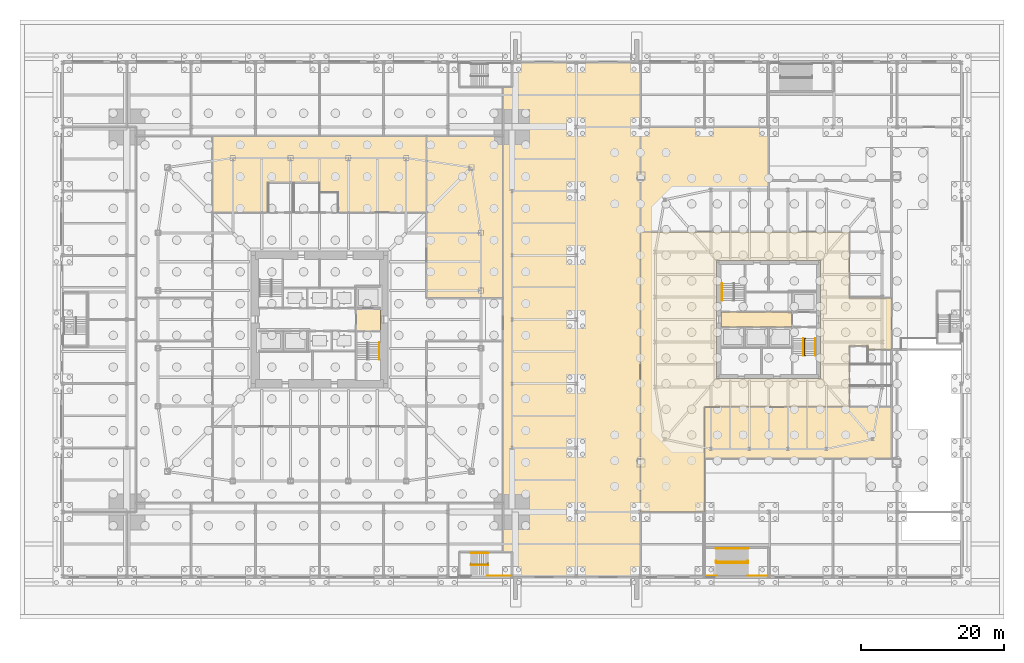
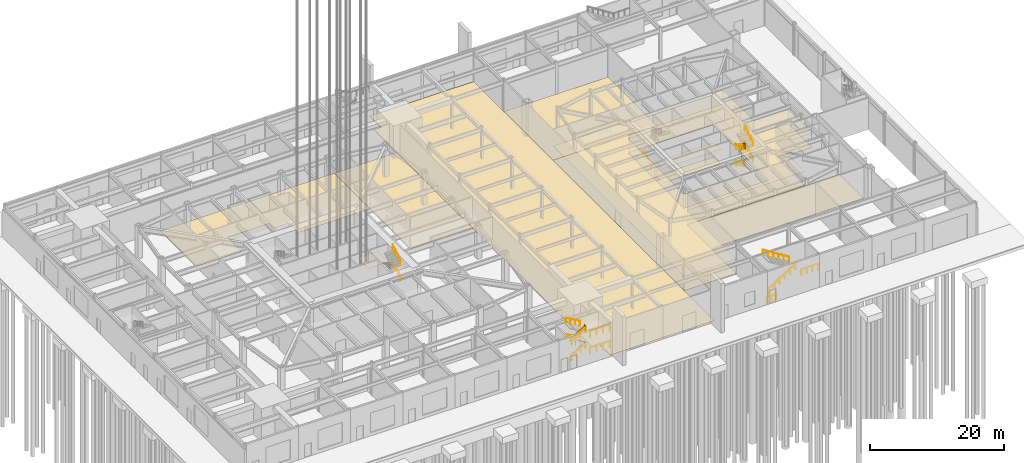
# One storey, part 34 of 37: 20 railings, 10 coverings.
"""IFC4 building model written with IfcOpenShell, lengths in metres."""

from ifc_helpers import new_model, si_unit, direction, frame, origin, origin_2d, place, context, subcontext, project, spatial, polyline, circle, outline, extrude, material, layer, layer_set, constituent, constituent_set, type_object, element, save


model = new_model("IFC4")

# Units and contexts
model_context = context("Model", 3, precision=1e-05, world=origin(), true_north=direction((0.0, 1.0)))
body_context = subcontext(model_context, "Body", "Model", "MODEL_VIEW")
ifc_project = project(units=[si_unit("LENGTHUNIT", "METRE"), si_unit("AREAUNIT", "SQUARE_METRE"), si_unit("VOLUMEUNIT", "CUBIC_METRE"), si_unit("PLANEANGLEUNIT", "RADIAN"), si_unit("MASSUNIT", "GRAM", prefix="KILO")], contexts=[model_context])

# Site, building, storey
site_placement = place(None, origin())
site = spatial("IfcSite", under=ifc_project, at=site_placement, CompositionType="ELEMENT")
building_placement = place(site_placement, origin())
building = spatial("IfcBuilding", under=site, at=building_placement, Name="Iwan Alto Co-Living Towers", CompositionType="ELEMENT")
storey_placement = place(building_placement, origin())
storey = spatial("IfcBuildingStorey", under=building, at=storey_placement, Name="L00", CompositionType="ELEMENT", Elevation=0.0)

# Coverings
ifc_material_1 = material(Name="Mineral fibre acoustic tiles on steel grid", Category="steel")
ifc_layer_1 = layer(ifc_material_1, 0.02001953125)
ifc_layer_set_1 = layer_set([ifc_layer_1], Name="ACOUSTIC TILE CEILING 20")
covering_type_1 = type_object("IfcCoveringType", Name="ACOUSTIC TILE CEILING 20", PredefinedType="CEILING", material=ifc_layer_set_1)
covering_1_placement = place(storey_placement, frame((0.0, 0.0, 2.60009765625)))
element("IfcCovering", 1, at=covering_1_placement, inside=storey, type_object=covering_type_1, Name="Ceiling Firefighting lobby L00", PredefinedType="CEILING", context=body_context, shape_type="SweptSolid", body=[
    extrude(outline(polyline([(5.14990234375, -1.60009765625), (5.14990234375, 1.60009765625), (8.550048828125, 1.60009765625), (8.550048828125, -1.60009765625), (5.14990234375, -1.60009765625)])), origin(), (0.0, 0.0, 1.0), 0.02001953125),
])
covering_2_placement = place(storey_placement, frame((0.0, 0.0, 2.60009765625)))
element("IfcCovering", 2, at=covering_2_placement, inside=storey, type_object=covering_type_1, Name="Ceiling Lift lobby L00", PredefinedType="CEILING", context=body_context, shape_type="SweptSolid", body=[
    extrude(outline(polyline([(56.300048828125, -1.050048828125), (56.300048828125, 1.050048828125), (66.300048828125, 1.050048828125), (66.300048828125, -1.050048828125), (56.300048828125, -1.050048828125)])), origin(), (0.0, 0.0, 1.0), 0.02001953125),
])
covering_3_placement = place(storey_placement, frame((0.0, 0.0, 2.60009765625)))
element("IfcCovering", 3, at=covering_3_placement, inside=storey, type_object=covering_type_1, Name="Ceiling Residents' lobby T2 L00", PredefinedType="CEILING", context=body_context, shape_type="SweptSolid", body=[
    extrude(outline(polyline([(63.0, 12.300048828125), (74.300048828125, 12.300048828125), (74.300048828125, 3.0), (80.25, 3.0), (80.25, -4.199951171875), (76.89990234375, -4.199951171875), (76.89990234375, -3.699951171875), (74.300048828125, -3.699951171875), (74.300048828125, -6.300048828125), (74.300048828125, -9.300048828125), (74.300048828125, -12.300048828125), (54.0, -12.300048828125), (54.0, -19.5), (54.0, -27.0), (45.0, -27.0), (45.0, 12.300048828125), (63.0, 12.300048828125)]), holes=[polyline([(70.300048828125, -8.300048828125), (70.300048828125, 8.300048828125), (55.699951171875, 8.300048828125), (55.699951171875, -8.300048828125), (70.300048828125, -8.300048828125)])]), origin(), (0.0, 0.0, 1.0), 0.02001953125),
])

# Railings
ifc_material_2 = material(Name="Steel ASTM A500 Gr C", Category="steel")
ifc_constituent_1 = constituent(ifc_material_2, Name="Rails and posts", Category="Framing")
ifc_material_3 = material(Name="Steel ASTM A36", Category="steel")
ifc_constituent_2 = constituent(ifc_material_3, Name="Bar infill", Category="Infill")
ifc_constituent_set = constituent_set(constituents=[ifc_constituent_1, ifc_constituent_2], Name="STAIR GUARD 1100")
railing_type_1 = type_object("IfcRailingType", Name="STAIR GUARD 1100", PredefinedType="GUARDRAIL", material=ifc_constituent_set)
railing_1_placement = place(storey_placement, frame((21.219970703125, -34.300048828125, 0.0)))
element("IfcRailing", 4, at=railing_1_placement, inside=storey, type_object=railing_type_1, Name="Stair PS4 well guard L00", PredefinedType="GUARDRAIL", context=body_context, shape_type="SweptSolid", body=[
    extrude(circle(Radius=0.02392578125, at=origin_2d()), frame((0.0, 0.0, 1.076171875), z_axis=(0.84801284173, 0.0, 0.529975678933), x_axis=(0.0, 1.0, 0.0)), (0.0, 0.0, 1.0), 2.830322265625),
    extrude(circle(Radius=0.02392578125, at=origin_2d()), frame((2.400146484375, 0.0, 2.576171875), z_axis=(-0.84801284173, 0.0, 0.529975678933), x_axis=(0.0, -1.0, 0.0)), (0.0, 0.0, 1.0), 2.830322265625),
    extrude(circle(Radius=0.02392578125, at=origin_2d()), frame((0.0, 0.0, 4.076171875), z_axis=(0.84801284173, 0.0, 0.529975678933), x_axis=(0.0, 1.0, 0.0)), (0.0, 0.0, 1.0), 2.830322265625),
    extrude(circle(Radius=0.02392578125, at=origin_2d()), frame((0.0, -0.14990234375, 1.076171875), z_axis=(0.0, 1.0, 0.0), x_axis=(-1.0, 0.0, 0.0)), (0.0, 0.0, 1.0), 0.300048828125),
    extrude(circle(Radius=0.02392578125, at=origin_2d()), frame((2.400146484375, -0.14990234375, 2.576171875), z_axis=(0.0, 1.0, 0.0), x_axis=(-1.0, 0.0, 0.0)), (0.0, 0.0, 1.0), 0.300048828125),
    extrude(circle(Radius=0.02392578125, at=origin_2d()), frame((0.0, -0.14990234375, 4.076171875), z_axis=(0.0, 1.0, 0.0), x_axis=(-1.0, 0.0, 0.0)), (0.0, 0.0, 1.0), 0.300048828125),
    extrude(circle(Radius=0.02392578125, at=origin_2d()), frame((2.400146484375, -0.14990234375, 5.576171875), z_axis=(0.0, 1.0, 0.0), x_axis=(-1.0, 0.0, 0.0)), (0.0, 0.0, 1.0), 0.300048828125),
    extrude(circle(Radius=0.02099609375, at=origin_2d()), origin(), (0.0, 0.0, 1.0), 1.052001953125),
    extrude(circle(Radius=0.02099609375, at=origin_2d()), frame((0.800048828125, 0.0, 0.5)), (0.0, 0.0, 1.0), 1.052001953125),
    extrude(circle(Radius=0.02099609375, at=origin_2d()), frame((1.60009765625, 0.0, 1.0)), (0.0, 0.0, 1.0), 1.052001953125),
    extrude(circle(Radius=0.02099609375, at=origin_2d()), frame((2.400146484375, 0.0, 1.5)), (0.0, 0.0, 1.0), 1.052001953125),
    extrude(circle(Radius=0.02099609375, at=origin_2d()), frame((1.60009765625, 0.0, 2.0)), (0.0, 0.0, 1.0), 1.052001953125),
    extrude(circle(Radius=0.02099609375, at=origin_2d()), frame((0.800048828125, 0.0, 2.5)), (0.0, 0.0, 1.0), 1.052001953125),
    extrude(circle(Radius=0.02099609375, at=origin_2d()), frame((0.0, 0.0, 3.0)), (0.0, 0.0, 1.0), 1.052001953125),
    extrude(circle(Radius=0.02099609375, at=origin_2d()), frame((0.800048828125, 0.0, 3.5)), (0.0, 0.0, 1.0), 1.052001953125),
    extrude(circle(Radius=0.02099609375, at=origin_2d()), frame((1.60009765625, 0.0, 4.0)), (0.0, 0.0, 1.0), 1.052001953125),
    extrude(circle(Radius=0.02099609375, at=origin_2d()), frame((2.400146484375, 0.0, 4.5)), (0.0, 0.0, 1.0), 1.052001953125),
    extrude(circle(Radius=0.02099609375, at=origin_2d()), frame((0.0, -0.14990234375, 0.0)), (0.0, 0.0, 1.0), 1.052001953125),
    extrude(circle(Radius=0.02099609375, at=origin_2d()), frame((0.0, 0.150146484375, 0.0)), (0.0, 0.0, 1.0), 1.052001953125),
    extrude(circle(Radius=0.02099609375, at=origin_2d()), frame((2.400146484375, -0.14990234375, 1.5)), (0.0, 0.0, 1.0), 1.052001953125),
    extrude(circle(Radius=0.02099609375, at=origin_2d()), frame((2.400146484375, 0.150146484375, 1.5)), (0.0, 0.0, 1.0), 1.052001953125),
    extrude(circle(Radius=0.02099609375, at=origin_2d()), frame((0.0, -0.14990234375, 3.0)), (0.0, 0.0, 1.0), 1.052001953125),
    extrude(circle(Radius=0.02099609375, at=origin_2d()), frame((0.0, 0.150146484375, 3.0)), (0.0, 0.0, 1.0), 1.052001953125),
    extrude(circle(Radius=0.02099609375, at=origin_2d()), frame((2.400146484375, -0.14990234375, 4.5)), (0.0, 0.0, 1.0), 1.052001953125),
    extrude(circle(Radius=0.02099609375, at=origin_2d()), frame((2.400146484375, 0.150146484375, 4.5)), (0.0, 0.0, 1.0), 1.052001953125),
])
for number, where, name in (
    (5, (23.570068359375, -35.93994140625, 1.5), "Stair PS4 edge guard L00 2"),
    (6, (23.570068359375, -35.93994140625, 4.5), "Stair PS4 edge guard L00 4"),
):
    element("IfcRailing", number, at=place(storey_placement, frame(where)), inside=storey, type_object=railing_type_1, Name=name, PredefinedType="GUARDRAIL", context=body_context, shape_type="SweptSolid", body=[
        extrude(circle(Radius=0.02392578125, at=origin_2d()), frame((0.0, 0.0, 1.076171875), z_axis=(1.0, 0.0, 0.0), x_axis=(0.0, 1.0, 0.0)), (0.0, 0.0, 1.0), 3.3798828125),
        extrude(circle(Radius=0.02099609375, at=origin_2d()), origin(), (0.0, 0.0, 1.0), 1.052001953125),
        extrude(circle(Radius=0.02099609375, at=origin_2d()), frame((1.126708984375, 0.0, 0.0)), (0.0, 0.0, 1.0), 1.052001953125),
        extrude(circle(Radius=0.02099609375, at=origin_2d()), frame((2.253173828125, 0.0, 0.0)), (0.0, 0.0, 1.0), 1.052001953125),
        extrude(circle(Radius=0.02099609375, at=origin_2d()), frame((3.3798828125, 0.0, 0.0)), (0.0, 0.0, 1.0), 1.052001953125),
    ])
railing_2_placement = place(storey_placement, frame((55.6201171875, -33.97998046875, 0.0)))
element("IfcRailing", 7, at=railing_2_placement, inside=storey, type_object=railing_type_1, Name="Stair PS6 well guard L00", PredefinedType="GUARDRAIL", context=body_context, shape_type="SweptSolid", body=[
    extrude(circle(Radius=0.02392578125, at=origin_2d()), frame((0.0, 0.0, 1.076171875), z_axis=(0.830906055479, 0.0, 0.556412730775), x_axis=(0.0, 1.0, 0.0)), (0.0, 0.0, 1.0), 5.3916015625),
    extrude(circle(Radius=0.02392578125, at=origin_2d()), frame((0.0, -0.14990234375, 1.076171875), z_axis=(0.0, 1.0, 0.0), x_axis=(-1.0, 0.0, 0.0)), (0.0, 0.0, 1.0), 0.2998046875),
    extrude(circle(Radius=0.02392578125, at=origin_2d()), frame((4.47998046875, -0.14990234375, 4.076171875), z_axis=(0.0, 1.0, 0.0), x_axis=(-1.0, 0.0, 0.0)), (0.0, 0.0, 1.0), 0.2998046875),
    extrude(circle(Radius=0.02099609375, at=origin_2d()), origin(), (0.0, 0.0, 1.0), 1.052001953125),
    extrude(circle(Radius=0.02099609375, at=origin_2d()), frame((0.89599609375, 0.0, 0.60009765625)), (0.0, 0.0, 1.0), 1.052001953125),
    extrude(circle(Radius=0.02099609375, at=origin_2d()), frame((1.7919921875, 0.0, 1.199951171875)), (0.0, 0.0, 1.0), 1.052001953125),
    extrude(circle(Radius=0.02099609375, at=origin_2d()), frame((2.68798828125, 0.0, 1.800048828125)), (0.0, 0.0, 1.0), 1.052001953125),
    extrude(circle(Radius=0.02099609375, at=origin_2d()), frame((3.583984375, 0.0, 2.39990234375)), (0.0, 0.0, 1.0), 1.052001953125),
    extrude(circle(Radius=0.02099609375, at=origin_2d()), frame((4.47998046875, 0.0, 3.0)), (0.0, 0.0, 1.0), 1.052001953125),
    extrude(circle(Radius=0.02099609375, at=origin_2d()), frame((0.0, -0.14990234375, 0.0)), (0.0, 0.0, 1.0), 1.052001953125),
    extrude(circle(Radius=0.02099609375, at=origin_2d()), frame((0.0, 0.14990234375, 0.0)), (0.0, 0.0, 1.0), 1.052001953125),
    extrude(circle(Radius=0.02099609375, at=origin_2d()), frame((4.47998046875, -0.14990234375, 3.0)), (0.0, 0.0, 1.0), 1.052001953125),
    extrude(circle(Radius=0.02099609375, at=origin_2d()), frame((4.47998046875, 0.14990234375, 3.0)), (0.0, 0.0, 1.0), 1.052001953125),
])
railing_3_placement = place(storey_placement, frame((54.050048828125, -35.93994140625, 0.0)))
element("IfcRailing", 8, at=railing_3_placement, inside=storey, type_object=railing_type_1, Name="Stair PS6 edge guard L00 1", PredefinedType="GUARDRAIL", context=body_context, shape_type="SweptSolid", body=[
    extrude(circle(Radius=0.02392578125, at=origin_2d()), frame((0.0, 0.0, 1.076171875), z_axis=(1.0, 0.0, 0.0), x_axis=(0.0, 1.0, 0.0)), (0.0, 0.0, 1.0), 1.619873046875),
    extrude(circle(Radius=0.02099609375, at=origin_2d()), origin(), (0.0, 0.0, 1.0), 1.052001953125),
    extrude(circle(Radius=0.02099609375, at=origin_2d()), frame((0.81005859375, 0.0, 0.0)), (0.0, 0.0, 1.0), 1.052001953125),
    extrude(circle(Radius=0.02099609375, at=origin_2d()), frame((1.619873046875, 0.0, 0.0)), (0.0, 0.0, 1.0), 1.052001953125),
])
railing_4_placement = place(storey_placement, frame((60.050048828125, -35.93994140625, 3.0)))
element("IfcRailing", 9, at=railing_4_placement, inside=storey, type_object=railing_type_1, Name="Stair PS6 edge guard L00 2", PredefinedType="GUARDRAIL", context=body_context, shape_type="SweptSolid", body=[
    extrude(circle(Radius=0.02392578125, at=origin_2d()), frame((0.0, 0.0, 1.076171875), z_axis=(1.0, 0.0, 0.0), x_axis=(0.0, 1.0, 0.0)), (0.0, 0.0, 1.0), 2.89990234375),
    extrude(circle(Radius=0.02099609375, at=origin_2d()), origin(), (0.0, 0.0, 1.0), 1.052001953125),
    extrude(circle(Radius=0.02099609375, at=origin_2d()), frame((0.966552734375, 0.0, 0.0)), (0.0, 0.0, 1.0), 1.052001953125),
    extrude(circle(Radius=0.02099609375, at=origin_2d()), frame((1.933349609375, 0.0, 0.0)), (0.0, 0.0, 1.0), 1.052001953125),
    extrude(circle(Radius=0.02099609375, at=origin_2d()), frame((2.89990234375, 0.0, 0.0)), (0.0, 0.0, 1.0), 1.052001953125),
])
railing_5_placement = place(storey_placement, frame((68.0, -2.669921875, 0.0)))
element("IfcRailing", 10, at=railing_5_placement, inside=storey, type_object=railing_type_1, Name="Stair T2-S2 well guard L00", PredefinedType="GUARDRAIL", context=body_context, shape_type="SweptSolid", body=[
    extrude(circle(Radius=0.02392578125, at=origin_2d()), frame((0.0, 0.0, 1.076171875), z_axis=(0.0, -0.84801284173, 0.529975678933), x_axis=(1.0, 0.0, 0.0)), (0.0, 0.0, 1.0), 2.830322265625),
    extrude(circle(Radius=0.02392578125, at=origin_2d()), frame((0.0, -2.400146484375, 2.576171875), z_axis=(0.0, 0.84801284173, 0.529975678933), x_axis=(-1.0, 0.0, 0.0)), (0.0, 0.0, 1.0), 2.830322265625),
    extrude(circle(Radius=0.02392578125, at=origin_2d()), frame((0.0, 0.0, 4.076171875), z_axis=(0.0, -0.84801284173, 0.529975678933), x_axis=(1.0, 0.0, 0.0)), (0.0, 0.0, 1.0), 2.830322265625),
    extrude(circle(Radius=0.02392578125, at=origin_2d()), frame((-0.14990234375, 0.0, 1.076171875), z_axis=(1.0, 0.0, 0.0), x_axis=(0.0, 1.0, 0.0)), (0.0, 0.0, 1.0), 0.2998046875),
    extrude(circle(Radius=0.02392578125, at=origin_2d()), frame((-0.14990234375, -2.400146484375, 2.576171875), z_axis=(1.0, 0.0, 0.0), x_axis=(0.0, 1.0, 0.0)), (0.0, 0.0, 1.0), 0.2998046875),
    extrude(circle(Radius=0.02392578125, at=origin_2d()), frame((-0.14990234375, 0.0, 4.076171875), z_axis=(1.0, 0.0, 0.0), x_axis=(0.0, 1.0, 0.0)), (0.0, 0.0, 1.0), 0.2998046875),
    extrude(circle(Radius=0.02392578125, at=origin_2d()), frame((-0.14990234375, -2.400146484375, 5.576171875), z_axis=(1.0, 0.0, 0.0), x_axis=(0.0, 1.0, 0.0)), (0.0, 0.0, 1.0), 0.2998046875),
    extrude(circle(Radius=0.02099609375, at=origin_2d()), origin(), (0.0, 0.0, 1.0), 1.052001953125),
    extrude(circle(Radius=0.02099609375, at=origin_2d()), frame((0.0, -0.800048828125, 0.5)), (0.0, 0.0, 1.0), 1.052001953125),
    extrude(circle(Radius=0.02099609375, at=origin_2d()), frame((0.0, -1.60009765625, 1.0)), (0.0, 0.0, 1.0), 1.052001953125),
    extrude(circle(Radius=0.02099609375, at=origin_2d()), frame((0.0, -2.400146484375, 1.5)), (0.0, 0.0, 1.0), 1.052001953125),
    extrude(circle(Radius=0.02099609375, at=origin_2d()), frame((0.0, -1.60009765625, 2.0)), (0.0, 0.0, 1.0), 1.052001953125),
    extrude(circle(Radius=0.02099609375, at=origin_2d()), frame((0.0, -0.800048828125, 2.5)), (0.0, 0.0, 1.0), 1.052001953125),
    extrude(circle(Radius=0.02099609375, at=origin_2d()), frame((0.0, 0.0, 3.0)), (0.0, 0.0, 1.0), 1.052001953125),
    extrude(circle(Radius=0.02099609375, at=origin_2d()), frame((0.0, -0.800048828125, 3.5)), (0.0, 0.0, 1.0), 1.052001953125),
    extrude(circle(Radius=0.02099609375, at=origin_2d()), frame((0.0, -1.60009765625, 4.0)), (0.0, 0.0, 1.0), 1.052001953125),
    extrude(circle(Radius=0.02099609375, at=origin_2d()), frame((0.0, -2.400146484375, 4.5)), (0.0, 0.0, 1.0), 1.052001953125),
    extrude(circle(Radius=0.02099609375, at=origin_2d()), frame((-0.14990234375, 0.0, 0.0)), (0.0, 0.0, 1.0), 1.052001953125),
    extrude(circle(Radius=0.02099609375, at=origin_2d()), frame((0.14990234375, 0.0, 0.0)), (0.0, 0.0, 1.0), 1.052001953125),
    extrude(circle(Radius=0.02099609375, at=origin_2d()), frame((-0.14990234375, -2.400146484375, 1.5)), (0.0, 0.0, 1.0), 1.052001953125),
    extrude(circle(Radius=0.02099609375, at=origin_2d()), frame((0.14990234375, -2.400146484375, 1.5)), (0.0, 0.0, 1.0), 1.052001953125),
    extrude(circle(Radius=0.02099609375, at=origin_2d()), frame((-0.14990234375, 0.0, 3.0)), (0.0, 0.0, 1.0), 1.052001953125),
    extrude(circle(Radius=0.02099609375, at=origin_2d()), frame((0.14990234375, 0.0, 3.0)), (0.0, 0.0, 1.0), 1.052001953125),
    extrude(circle(Radius=0.02099609375, at=origin_2d()), frame((-0.14990234375, -2.400146484375, 4.5)), (0.0, 0.0, 1.0), 1.052001953125),
    extrude(circle(Radius=0.02099609375, at=origin_2d()), frame((0.14990234375, -2.400146484375, 4.5)), (0.0, 0.0, 1.0), 1.052001953125),
])
ifc_material_4 = material(Name="Steel ASTM A500 Gr C", Category="steel")
railing_type_2 = type_object("IfcRailingType", Name="STAIR HANDRAIL 900", PredefinedType="HANDRAIL", material=ifc_material_4)
railing_6_placement = place(storey_placement, frame((21.219970703125, -34.449951171875, 0.166748046875)))
element("IfcRailing", 11, at=railing_6_placement, inside=storey, type_object=railing_type_2, Name="Stair PS4 handrail 1 L00", PredefinedType="HANDRAIL", context=body_context, shape_type="SweptSolid", body=[
    extrude(circle(Radius=0.02392578125, at=origin_2d()), frame((0.0, 0.0, 0.8759765625), z_axis=(0.874182441271, 0.0, 0.485597631145), x_axis=(0.0, 1.0, 0.0)), (0.0, 0.0, 1.0), 2.74560546875),
    extrude(circle(Radius=0.02099609375, at=origin_2d()), origin(), (0.0, 0.0, 1.0), 0.851806640625),
    extrude(circle(Radius=0.02099609375, at=origin_2d()), frame((0.800048828125, 0.0, 0.4443359375)), (0.0, 0.0, 1.0), 0.851806640625),
    extrude(circle(Radius=0.02099609375, at=origin_2d()), frame((1.60009765625, 0.0, 0.888916015625)), (0.0, 0.0, 1.0), 0.851806640625),
    extrude(circle(Radius=0.02099609375, at=origin_2d()), frame((2.400146484375, 0.0, 1.333251953125)), (0.0, 0.0, 1.0), 0.851806640625),
])
railing_7_placement = place(storey_placement, frame((23.6201171875, -32.77001953125, 1.666748046875)))
element("IfcRailing", 12, at=railing_7_placement, inside=storey, type_object=railing_type_2, Name="Stair PS4 handrail 2 L00", PredefinedType="HANDRAIL", context=body_context, shape_type="SweptSolid", body=[
    extrude(circle(Radius=0.02392578125, at=origin_2d()), frame((0.0, 0.0, 0.8759765625), z_axis=(-0.874182441271, 0.0, 0.485597631145), x_axis=(0.0, -1.0, 0.0)), (0.0, 0.0, 1.0), 2.74560546875),
    extrude(circle(Radius=0.02099609375, at=origin_2d()), origin(), (0.0, 0.0, 1.0), 0.851806640625),
    extrude(circle(Radius=0.02099609375, at=origin_2d()), frame((-0.800048828125, 0.0, 0.4443359375)), (0.0, 0.0, 1.0), 0.851806640625),
    extrude(circle(Radius=0.02099609375, at=origin_2d()), frame((-1.60009765625, 0.0, 0.888916015625)), (0.0, 0.0, 1.0), 0.851806640625),
    extrude(circle(Radius=0.02099609375, at=origin_2d()), frame((-2.400146484375, 0.0, 1.333251953125)), (0.0, 0.0, 1.0), 0.851806640625),
])
railing_8_placement = place(storey_placement, frame((21.219970703125, -34.449951171875, 3.166748046875)))
element("IfcRailing", 13, at=railing_8_placement, inside=storey, type_object=railing_type_2, Name="Stair PS4 handrail 3 L00", PredefinedType="HANDRAIL", context=body_context, shape_type="SweptSolid", body=[
    extrude(circle(Radius=0.02392578125, at=origin_2d()), frame((0.0, 0.0, 0.8759765625), z_axis=(0.874182441271, 0.0, 0.485597631145), x_axis=(0.0, 1.0, 0.0)), (0.0, 0.0, 1.0), 2.74560546875),
    extrude(circle(Radius=0.02099609375, at=origin_2d()), origin(), (0.0, 0.0, 1.0), 0.851806640625),
    extrude(circle(Radius=0.02099609375, at=origin_2d()), frame((0.800048828125, 0.0, 0.4443359375)), (0.0, 0.0, 1.0), 0.851806640625),
    extrude(circle(Radius=0.02099609375, at=origin_2d()), frame((1.60009765625, 0.0, 0.888916015625)), (0.0, 0.0, 1.0), 0.851806640625),
    extrude(circle(Radius=0.02099609375, at=origin_2d()), frame((2.400146484375, 0.0, 1.333251953125)), (0.0, 0.0, 1.0), 0.851806640625),
])
railing_9_placement = place(storey_placement, frame((23.6201171875, -32.77001953125, 4.666748046875)))
element("IfcRailing", 14, at=railing_9_placement, inside=storey, type_object=railing_type_2, Name="Stair PS4 handrail 4 L00", PredefinedType="HANDRAIL", context=body_context, shape_type="SweptSolid", body=[
    extrude(circle(Radius=0.02392578125, at=origin_2d()), frame((0.0, 0.0, 0.8759765625), z_axis=(-0.874182441271, 0.0, 0.485597631145), x_axis=(0.0, -1.0, 0.0)), (0.0, 0.0, 1.0), 2.74560546875),
    extrude(circle(Radius=0.02099609375, at=origin_2d()), origin(), (0.0, 0.0, 1.0), 0.851806640625),
    extrude(circle(Radius=0.02099609375, at=origin_2d()), frame((-0.800048828125, 0.0, 0.4443359375)), (0.0, 0.0, 1.0), 0.851806640625),
    extrude(circle(Radius=0.02099609375, at=origin_2d()), frame((-1.60009765625, 0.0, 0.888916015625)), (0.0, 0.0, 1.0), 0.851806640625),
    extrude(circle(Radius=0.02099609375, at=origin_2d()), frame((-2.400146484375, 0.0, 1.333251953125)), (0.0, 0.0, 1.0), 0.851806640625),
])
railing_10_placement = place(storey_placement, frame((55.6201171875, -34.1298828125, 0.176513671875)))
element("IfcRailing", 15, at=railing_10_placement, inside=storey, type_object=railing_type_2, Name="Stair PS6 handrail 1 L00", PredefinedType="HANDRAIL", context=body_context, shape_type="SweptSolid", body=[
    extrude(circle(Radius=0.02392578125, at=origin_2d()), frame((0.0, 0.0, 0.8759765625), z_axis=(0.845997938375, 0.0, 0.533186166611), x_axis=(0.0, 1.0, 0.0)), (0.0, 0.0, 1.0), 5.29541015625),
    extrude(circle(Radius=0.02099609375, at=origin_2d()), origin(), (0.0, 0.0, 1.0), 0.851806640625),
    extrude(circle(Radius=0.02099609375, at=origin_2d()), frame((0.89599609375, 0.0, 0.564697265625)), (0.0, 0.0, 1.0), 0.851806640625),
    extrude(circle(Radius=0.02099609375, at=origin_2d()), frame((1.7919921875, 0.0, 1.12939453125)), (0.0, 0.0, 1.0), 0.851806640625),
    extrude(circle(Radius=0.02099609375, at=origin_2d()), frame((2.68798828125, 0.0, 1.694091796875)), (0.0, 0.0, 1.0), 0.851806640625),
    extrude(circle(Radius=0.02099609375, at=origin_2d()), frame((3.583984375, 0.0, 2.2587890625)), (0.0, 0.0, 1.0), 0.851806640625),
    extrude(circle(Radius=0.02099609375, at=origin_2d()), frame((4.47998046875, 0.0, 2.823486328125)), (0.0, 0.0, 1.0), 0.851806640625),
])
railing_11_placement = place(storey_placement, frame((60.10009765625, -32.1298828125, 3.176513671875)))
element("IfcRailing", 16, at=railing_11_placement, inside=storey, type_object=railing_type_2, Name="Stair PS6 handrail 2 L00", PredefinedType="HANDRAIL", context=body_context, shape_type="SweptSolid", body=[
    extrude(circle(Radius=0.02392578125, at=origin_2d()), frame((0.0, 0.0, 0.8759765625), z_axis=(-0.845997938375, 0.0, 0.533186166611), x_axis=(0.0, -1.0, 0.0)), (0.0, 0.0, 1.0), 5.29541015625),
    extrude(circle(Radius=0.02099609375, at=origin_2d()), origin(), (0.0, 0.0, 1.0), 0.851806640625),
    extrude(circle(Radius=0.02099609375, at=origin_2d()), frame((-0.89599609375, 0.0, 0.564697265625)), (0.0, 0.0, 1.0), 0.851806640625),
    extrude(circle(Radius=0.02099609375, at=origin_2d()), frame((-1.7919921875, 0.0, 1.12939453125)), (0.0, 0.0, 1.0), 0.851806640625),
    extrude(circle(Radius=0.02099609375, at=origin_2d()), frame((-2.68798828125, 0.0, 1.694091796875)), (0.0, 0.0, 1.0), 0.851806640625),
    extrude(circle(Radius=0.02099609375, at=origin_2d()), frame((-3.583984375, 0.0, 2.2587890625)), (0.0, 0.0, 1.0), 0.851806640625),
    extrude(circle(Radius=0.02099609375, at=origin_2d()), frame((-4.47998046875, 0.0, 2.823486328125)), (0.0, 0.0, 1.0), 0.851806640625),
])
for number, where, name in (
    (17, (8.3798828125, -5.6201171875, 1.666748046875), "Stair T1-S2 handrail 2 L00"),
    (18, (8.3798828125, -5.6201171875, 4.666748046875), "Stair T1-S2 handrail 4 L00"),
    (19, (56.469970703125, 2.669921875, 0.166748046875), "Stair T2-S1 handrail 1 L00"),
):
    element("IfcRailing", number, at=place(storey_placement, frame(where)), inside=storey, type_object=railing_type_2, Name=name, PredefinedType="HANDRAIL", context=body_context, shape_type="SweptSolid", body=[
        extrude(circle(Radius=0.02392578125, at=origin_2d()), frame((0.0, 0.0, 0.8759765625), z_axis=(0.0, 0.874182441271, 0.485597631145), x_axis=(-1.0, 0.0, 0.0)), (0.0, 0.0, 1.0), 2.74560546875),
        extrude(circle(Radius=0.02099609375, at=origin_2d()), origin(), (0.0, 0.0, 1.0), 0.851806640625),
        extrude(circle(Radius=0.02099609375, at=origin_2d()), frame((0.0, 0.800048828125, 0.4443359375)), (0.0, 0.0, 1.0), 0.851806640625),
        extrude(circle(Radius=0.02099609375, at=origin_2d()), frame((0.0, 1.60009765625, 0.888916015625)), (0.0, 0.0, 1.0), 0.851806640625),
        extrude(circle(Radius=0.02099609375, at=origin_2d()), frame((0.0, 2.400146484375, 1.333251953125)), (0.0, 0.0, 1.0), 0.851806640625),
    ])
railing_12_placement = place(storey_placement, frame((67.85009765625, -2.669921875, 0.166748046875)))
element("IfcRailing", 20, at=railing_12_placement, inside=storey, type_object=railing_type_2, Name="Stair T2-S2 handrail 1 L00", PredefinedType="HANDRAIL", context=body_context, shape_type="SweptSolid", body=[
    extrude(circle(Radius=0.02392578125, at=origin_2d()), frame((0.0, 0.0, 0.8759765625), z_axis=(0.0, -0.874182441271, 0.485597631145), x_axis=(1.0, 0.0, 0.0)), (0.0, 0.0, 1.0), 2.74560546875),
    extrude(circle(Radius=0.02099609375, at=origin_2d()), origin(), (0.0, 0.0, 1.0), 0.851806640625),
    extrude(circle(Radius=0.02099609375, at=origin_2d()), frame((0.0, -0.800048828125, 0.4443359375)), (0.0, 0.0, 1.0), 0.851806640625),
    extrude(circle(Radius=0.02099609375, at=origin_2d()), frame((0.0, -1.60009765625, 0.888916015625)), (0.0, 0.0, 1.0), 0.851806640625),
    extrude(circle(Radius=0.02099609375, at=origin_2d()), frame((0.0, -2.400146484375, 1.333251953125)), (0.0, 0.0, 1.0), 0.851806640625),
])
railing_13_placement = place(storey_placement, frame((69.530029296875, -5.070068359375, 1.666748046875)))
element("IfcRailing", 21, at=railing_13_placement, inside=storey, type_object=railing_type_2, Name="Stair T2-S2 handrail 2 L00", PredefinedType="HANDRAIL", context=body_context, shape_type="SweptSolid", body=[
    extrude(circle(Radius=0.02392578125, at=origin_2d()), frame((0.0, 0.0, 0.8759765625), z_axis=(0.0, 0.874182441271, 0.485597631145), x_axis=(-1.0, 0.0, 0.0)), (0.0, 0.0, 1.0), 2.74560546875),
    extrude(circle(Radius=0.02099609375, at=origin_2d()), origin(), (0.0, 0.0, 1.0), 0.851806640625),
    extrude(circle(Radius=0.02099609375, at=origin_2d()), frame((0.0, 0.800048828125, 0.4443359375)), (0.0, 0.0, 1.0), 0.851806640625),
    extrude(circle(Radius=0.02099609375, at=origin_2d()), frame((0.0, 1.60009765625, 0.888916015625)), (0.0, 0.0, 1.0), 0.851806640625),
    extrude(circle(Radius=0.02099609375, at=origin_2d()), frame((0.0, 2.400146484375, 1.333251953125)), (0.0, 0.0, 1.0), 0.851806640625),
])
railing_14_placement = place(storey_placement, frame((67.85009765625, -2.669921875, 3.166748046875)))
element("IfcRailing", 22, at=railing_14_placement, inside=storey, type_object=railing_type_2, Name="Stair T2-S2 handrail 3 L00", PredefinedType="HANDRAIL", context=body_context, shape_type="SweptSolid", body=[
    extrude(circle(Radius=0.02392578125, at=origin_2d()), frame((0.0, 0.0, 0.8759765625), z_axis=(0.0, -0.874182441271, 0.485597631145), x_axis=(1.0, 0.0, 0.0)), (0.0, 0.0, 1.0), 2.74560546875),
    extrude(circle(Radius=0.02099609375, at=origin_2d()), origin(), (0.0, 0.0, 1.0), 0.851806640625),
    extrude(circle(Radius=0.02099609375, at=origin_2d()), frame((0.0, -0.800048828125, 0.4443359375)), (0.0, 0.0, 1.0), 0.851806640625),
    extrude(circle(Radius=0.02099609375, at=origin_2d()), frame((0.0, -1.60009765625, 0.888916015625)), (0.0, 0.0, 1.0), 0.851806640625),
    extrude(circle(Radius=0.02099609375, at=origin_2d()), frame((0.0, -2.400146484375, 1.333251953125)), (0.0, 0.0, 1.0), 0.851806640625),
])
railing_15_placement = place(storey_placement, frame((69.530029296875, -5.070068359375, 4.666748046875)))
element("IfcRailing", 23, at=railing_15_placement, inside=storey, type_object=railing_type_2, Name="Stair T2-S2 handrail 4 L00", PredefinedType="HANDRAIL", context=body_context, shape_type="SweptSolid", body=[
    extrude(circle(Radius=0.02392578125, at=origin_2d()), frame((0.0, 0.0, 0.8759765625), z_axis=(0.0, 0.874182441271, 0.485597631145), x_axis=(-1.0, 0.0, 0.0)), (0.0, 0.0, 1.0), 2.74560546875),
    extrude(circle(Radius=0.02099609375, at=origin_2d()), origin(), (0.0, 0.0, 1.0), 0.851806640625),
    extrude(circle(Radius=0.02099609375, at=origin_2d()), frame((0.0, 0.800048828125, 0.4443359375)), (0.0, 0.0, 1.0), 0.851806640625),
    extrude(circle(Radius=0.02099609375, at=origin_2d()), frame((0.0, 1.60009765625, 0.888916015625)), (0.0, 0.0, 1.0), 0.851806640625),
    extrude(circle(Radius=0.02099609375, at=origin_2d()), frame((0.0, 2.400146484375, 1.333251953125)), (0.0, 0.0, 1.0), 0.851806640625),
])

# Coverings
ifc_material_5 = material(Name="Bronze-strip terrazzo")
ifc_layer_2 = layer(ifc_material_5, 0.030029296875)
ifc_layer_set_2 = layer_set([ifc_layer_2], Name="TERRAZZO FLOOR FINISH 30")
covering_type_2 = type_object("IfcCoveringType", Name="TERRAZZO FLOOR FINISH 30", PredefinedType="FLOORING", material=ifc_layer_set_2)
covering_4_placement = place(storey_placement, origin())
element("IfcCovering", 24, at=covering_4_placement, inside=storey, type_object=covering_type_2, Name="Floor finish Lift lobby L00", PredefinedType="FLOORING", context=body_context, shape_type="SweptSolid", body=[
    extrude(outline(polyline([(56.300048828125, -1.050048828125), (56.300048828125, 1.050048828125), (66.300048828125, 1.050048828125), (66.300048828125, -1.050048828125), (56.300048828125, -1.050048828125)])), origin(), (0.0, 0.0, 1.0), 0.030029296875),
])
covering_5_placement = place(storey_placement, origin())
element("IfcCovering", 25, at=covering_5_placement, inside=storey, type_object=covering_type_2, Name="Floor finish Concourse L00", PredefinedType="FLOORING", context=body_context, shape_type="SweptSolid", body=[
    extrude(outline(polyline([(25.75, 32.60009765625), (27.0, 32.60009765625), (27.0, 36.0), (45.0, 36.0), (45.0, -36.0), (27.0, -36.0), (27.0, -32.60009765625), (25.75, -32.60009765625), (25.75, 32.60009765625)])), origin(), (0.0, 0.0, 1.0), 0.030029296875),
])
covering_6_placement = place(storey_placement, origin())
element("IfcCovering", 26, at=covering_6_placement, inside=storey, type_object=covering_type_2, Name="Floor finish Residents' lobby T2 L00", PredefinedType="FLOORING", context=body_context, shape_type="SweptSolid", body=[
    extrude(outline(polyline([(63.0, 12.300048828125), (74.300048828125, 12.300048828125), (74.300048828125, 3.0), (80.25, 3.0), (80.25, -4.199951171875), (76.89990234375, -4.199951171875), (76.89990234375, -3.699951171875), (74.300048828125, -3.699951171875), (74.300048828125, -6.300048828125), (74.300048828125, -9.300048828125), (74.300048828125, -12.300048828125), (54.0, -12.300048828125), (54.0, -19.5), (54.0, -27.0), (45.0, -27.0), (45.0, 12.300048828125), (63.0, 12.300048828125)]), holes=[polyline([(70.300048828125, -8.300048828125), (70.300048828125, 8.300048828125), (55.699951171875, 8.300048828125), (55.699951171875, -8.300048828125), (70.300048828125, -8.300048828125)])]), origin(), (0.0, 0.0, 1.0), 0.030029296875),
])
ifc_material_6 = material(Name="Engineered oak boards")
ifc_layer_3 = layer(ifc_material_6, 0.02001953125)
ifc_layer_set_3 = layer_set([ifc_layer_3], Name="TIMBER FLOOR FINISH 20")
covering_type_3 = type_object("IfcCoveringType", Name="TIMBER FLOOR FINISH 20", PredefinedType="FLOORING", material=ifc_layer_set_3)
covering_7_placement = place(storey_placement, origin())
element("IfcCovering", 27, at=covering_7_placement, inside=storey, type_object=covering_type_3, Name="Floor finish Residents' cafe L00", PredefinedType="FLOORING", context=body_context, shape_type="SweptSolid", body=[
    extrude(outline(polyline([(15.0, 3.0), (15.0, 25.75), (18.0, 25.75), (25.75, 25.75), (25.75, 3.0), (15.0, 3.0)])), origin(), (0.0, 0.0, 1.0), 0.02001953125),
])
covering_8_placement = place(storey_placement, origin())
element("IfcCovering", 28, at=covering_8_placement, inside=storey, type_object=covering_type_3, Name="Floor finish Community lounge L00", PredefinedType="FLOORING", context=body_context, shape_type="SweptSolid", body=[
    extrude(outline(polyline([(2.60009765625, 15.0), (2.60009765625, 17.800048828125), (0.0, 17.800048828125), (0.0, 19.199951171875), (-3.60009765625, 19.199951171875), (-7.199951171875, 19.199951171875), (-7.199951171875, 15.0), (-15.0, 15.0), (-15.0, 25.75), (-9.0, 25.75), (0.0, 25.75), (9.0, 25.75), (15.0, 25.75), (15.0, 15.0), (2.60009765625, 15.0)])), origin(), (0.0, 0.0, 1.0), 0.02001953125),
])
covering_9_placement = place(storey_placement, origin())
element("IfcCovering", 29, at=covering_9_placement, inside=storey, type_object=covering_type_3, Name="Floor finish Children's play room L00", PredefinedType="FLOORING", context=body_context, shape_type="SweptSolid", body=[
    extrude(outline(polyline([(45.0, 12.300048828125), (45.0, 27.0), (54.0, 27.0), (63.0, 27.0), (63.0, 19.5), (63.0, 12.300048828125), (45.0, 12.300048828125)])), origin(), (0.0, 0.0, 1.0), 0.02001953125),
])
covering_10_placement = place(storey_placement, origin())
element("IfcCovering", 30, at=covering_10_placement, inside=storey, type_object=covering_type_3, Name="Floor finish Function hall L00", PredefinedType="FLOORING", context=body_context, shape_type="SweptSolid", body=[
    extrude(outline(polyline([(72.0, -19.5), (54.0, -19.5), (54.0, -12.300048828125), (74.300048828125, -12.300048828125), (80.25, -12.300048828125), (80.25, -19.5), (72.0, -19.5)])), origin(), (0.0, 0.0, 1.0), 0.02001953125),
])

save(model, "model.ifc")
